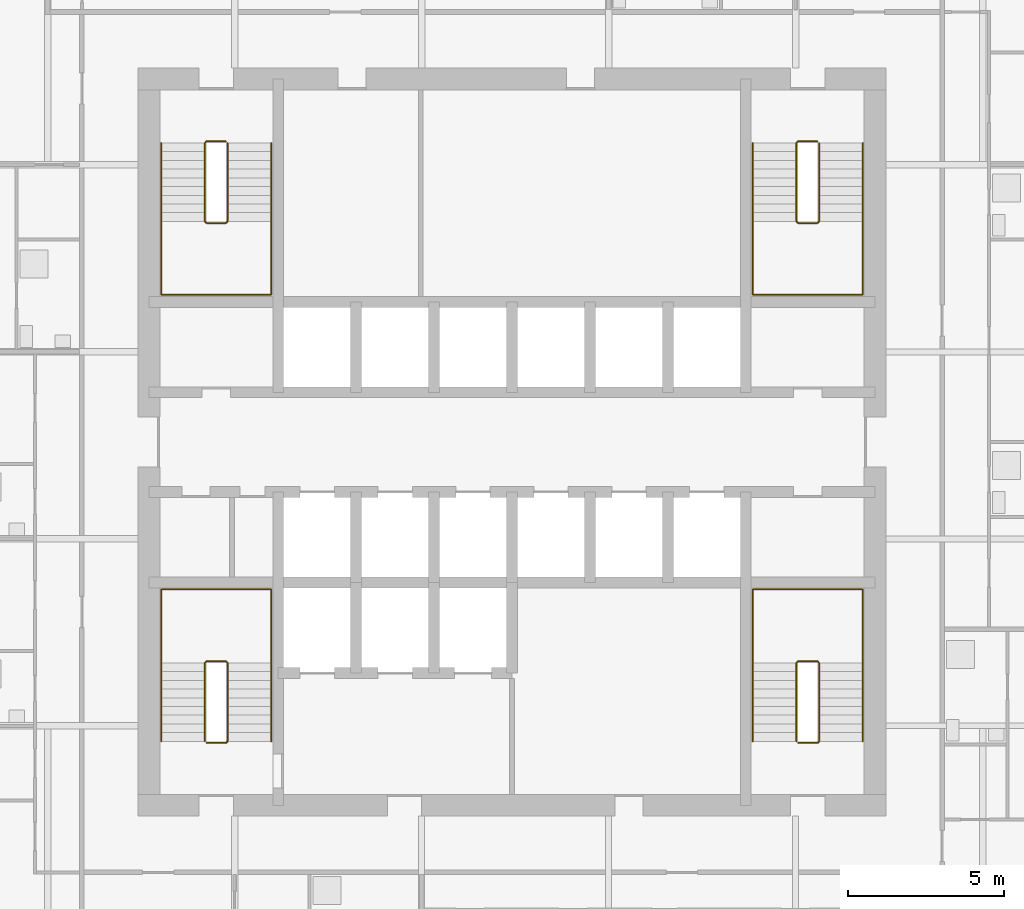
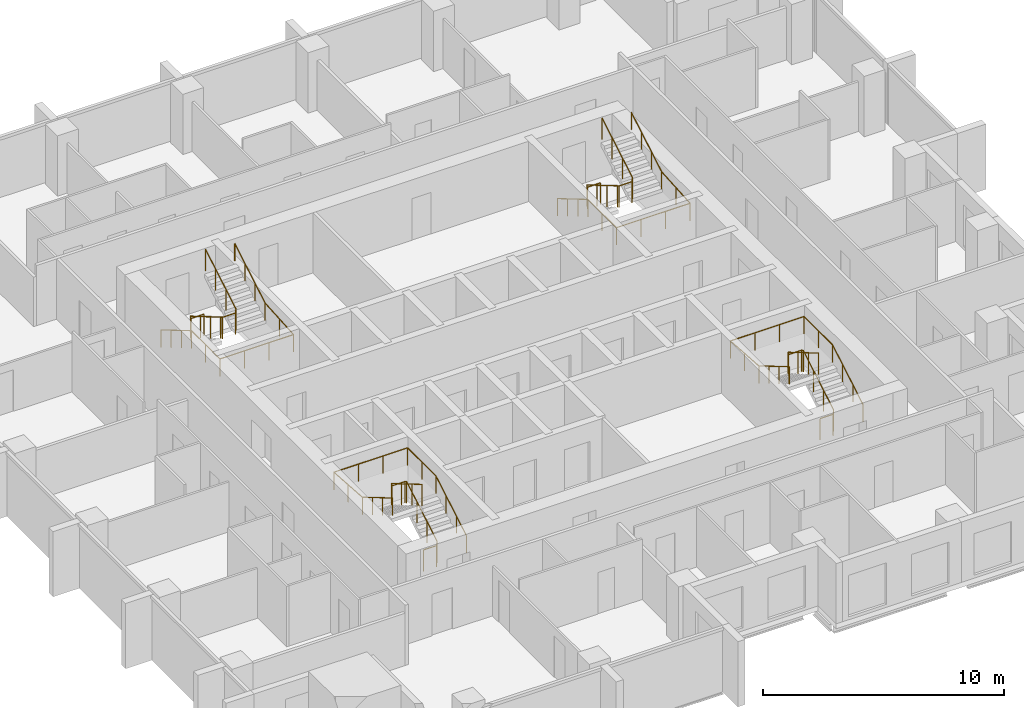
# One storey, part 9 of 10: 8 railings.
"""IFC4 building model written with IfcOpenShell, lengths in metres."""

from ifc_helpers import new_model, si_unit, direction, frame, origin, origin_2d, place, context, subcontext, project, spatial, circle, extrude, material, type_object, element, save


model = new_model("IFC4")

# Units and contexts
model_context = context("Model", 3, precision=1e-05, world=origin(), true_north=direction((0.0, 1.0)))
body_context = subcontext(model_context, "Body", "Model", "MODEL_VIEW")
ifc_project = project(units=[si_unit("LENGTHUNIT", "METRE"), si_unit("AREAUNIT", "SQUARE_METRE"), si_unit("VOLUMEUNIT", "CUBIC_METRE"), si_unit("PLANEANGLEUNIT", "RADIAN"), si_unit("MASSUNIT", "GRAM", prefix="KILO")], contexts=[model_context])

# Site, building, storey
site_placement = place(None, origin())
site = spatial("IfcSite", under=ifc_project, at=site_placement, CompositionType="ELEMENT")
building_placement = place(site_placement, origin())
building = spatial("IfcBuilding", under=site, at=building_placement, Name="Amberfall Residences", CompositionType="ELEMENT")
storey_placement = place(building_placement, frame((0.0, 0.0, 137.199951171875)))
storey = spatial("IfcBuildingStorey", under=building, at=storey_placement, Name="L36", CompositionType="ELEMENT", Elevation=137.199951171875)

# Railings
ifc_material = material(Name="Stainless steel 316", Category="steel")
railing_type_1 = type_object("IfcRailingType", Name="Stair guard 1100", PredefinedType="GUARDRAIL", material=ifc_material)
railing_1_placement = place(storey_placement, frame((64.699951171875, 35.85009765625, 0.0)))
element("IfcRailing", 1, at=railing_1_placement, inside=storey, type_object=railing_type_1, Name="L36 stair 1 guard", PredefinedType="GUARDRAIL", context=body_context, shape_type="SweptSolid", body=[
    extrude(circle(Radius=0.02392578125, at=origin_2d()), frame((0.0, 0.0, 1.076171875), z_axis=(1.0, 0.0, 0.0), x_axis=(0.0, 1.0, 0.0)), (0.0, 0.0, 1.0), 0.625),
    extrude(circle(Radius=0.02392578125, at=origin_2d()), frame((0.625, 0.0, 1.076171875), z_axis=(0.278810427259, 0.277450376394, 0.919394384522), x_axis=(-0.705375805398, 0.708833529934, 0.0)), (0.0, 0.0, 1.0), 0.179443359375),
    extrude(circle(Radius=0.02392578125, at=origin_2d()), frame((0.675048828125, 0.0498046875, 1.2412109375), z_axis=(0.0, 0.86152411907, 0.507716645641), x_axis=(-1.0, 0.0, 0.0)), (0.0, 0.0, 1.0), 2.925048828125),
    extrude(circle(Radius=0.02392578125, at=origin_2d()), frame((0.675048828125, 2.56982421875, 2.72607421875), z_axis=(-0.707106781187, 0.707106781187, 0.0), x_axis=(-0.707106781187, -0.707106781187, 0.0)), (0.0, 0.0, 1.0), 0.07080078125),
    extrude(circle(Radius=0.02392578125, at=origin_2d()), frame((0.625, 2.619873046875, 2.72607421875), z_axis=(-1.0, 0.0, 0.0), x_axis=(0.0, -1.0, 0.0)), (0.0, 0.0, 1.0), 0.625),
    extrude(circle(Radius=0.02392578125, at=origin_2d()), frame((0.0, 2.619873046875, 2.72607421875), z_axis=(-0.279053652268, -0.279053652268, 0.918835196492), x_axis=(0.707106781187, -0.707106781187, 0.0)), (0.0, 0.0, 1.0), 0.179443359375),
    extrude(circle(Radius=0.02392578125, at=origin_2d()), frame((-0.050048828125, 2.56982421875, 2.89111328125), z_axis=(0.0, -0.86152411907, 0.507716645641), x_axis=(1.0, 0.0, 0.0)), (0.0, 0.0, 1.0), 2.925048828125),
    extrude(circle(Radius=0.02099609375, at=origin_2d()), origin(), (0.0, 0.0, 1.0), 1.052001953125),
    extrude(circle(Radius=0.02099609375, at=origin_2d()), frame((0.625, 0.0, 0.0)), (0.0, 0.0, 1.0), 1.052001953125),
    extrude(circle(Radius=0.02099609375, at=origin_2d()), frame((0.675048828125, 0.0498046875, 0.1650390625)), (0.0, 0.0, 1.0), 1.052001953125),
    extrude(circle(Radius=0.02099609375, at=origin_2d()), frame((0.675048828125, 0.889892578125, 0.66015625)), (0.0, 0.0, 1.0), 1.052001953125),
    extrude(circle(Radius=0.02099609375, at=origin_2d()), frame((0.675048828125, 1.729736328125, 1.155029296875)), (0.0, 0.0, 1.0), 1.052001953125),
    extrude(circle(Radius=0.02099609375, at=origin_2d()), frame((0.675048828125, 2.56982421875, 1.650146484375)), (0.0, 0.0, 1.0), 1.052001953125),
    extrude(circle(Radius=0.02099609375, at=origin_2d()), frame((0.625, 2.619873046875, 1.650146484375)), (0.0, 0.0, 1.0), 1.052001953125),
    extrude(circle(Radius=0.02099609375, at=origin_2d()), frame((0.0, 2.619873046875, 1.650146484375)), (0.0, 0.0, 1.0), 1.052001953125),
    extrude(circle(Radius=0.02099609375, at=origin_2d()), frame((-0.050048828125, 2.56982421875, 1.81494140625)), (0.0, 0.0, 1.0), 1.052001953125),
    extrude(circle(Radius=0.02099609375, at=origin_2d()), frame((-0.050048828125, 1.729736328125, 2.31005859375)), (0.0, 0.0, 1.0), 1.052001953125),
    extrude(circle(Radius=0.02099609375, at=origin_2d()), frame((-0.050048828125, 0.889892578125, 2.804931640625)), (0.0, 0.0, 1.0), 1.052001953125),
    extrude(circle(Radius=0.02099609375, at=origin_2d()), frame((-0.050048828125, 0.0498046875, 3.300048828125)), (0.0, 0.0, 1.0), 1.052001953125),
])
railing_2_placement = place(storey_placement, frame((83.675048828125, 35.85009765625, 0.0)))
element("IfcRailing", 2, at=railing_2_placement, inside=storey, type_object=railing_type_1, Name="L36 stair 2 guard", PredefinedType="GUARDRAIL", context=body_context, shape_type="SweptSolid", body=[
    extrude(circle(Radius=0.02392578125, at=origin_2d()), frame((0.0, 0.0, 1.076171875), z_axis=(1.0, 0.0, 0.0), x_axis=(0.0, 1.0, 0.0)), (0.0, 0.0, 1.0), 0.625),
    extrude(circle(Radius=0.02392578125, at=origin_2d()), frame((0.625, 0.0, 1.076171875), z_axis=(0.278810427259, 0.277450376394, 0.919394384522), x_axis=(-0.705375805398, 0.708833529934, 0.0)), (0.0, 0.0, 1.0), 0.179443359375),
    extrude(circle(Radius=0.02392578125, at=origin_2d()), frame((0.675048828125, 0.0498046875, 1.2412109375), z_axis=(0.0, 0.86152411907, 0.507716645641), x_axis=(-1.0, 0.0, 0.0)), (0.0, 0.0, 1.0), 2.925048828125),
    extrude(circle(Radius=0.02392578125, at=origin_2d()), frame((0.675048828125, 2.56982421875, 2.72607421875), z_axis=(-0.707106781187, 0.707106781187, 0.0), x_axis=(-0.707106781187, -0.707106781187, 0.0)), (0.0, 0.0, 1.0), 0.07080078125),
    extrude(circle(Radius=0.02392578125, at=origin_2d()), frame((0.625, 2.619873046875, 2.72607421875), z_axis=(-1.0, 0.0, 0.0), x_axis=(0.0, -1.0, 0.0)), (0.0, 0.0, 1.0), 0.625),
    extrude(circle(Radius=0.02392578125, at=origin_2d()), frame((0.0, 2.619873046875, 2.72607421875), z_axis=(-0.279053652268, -0.279053652268, 0.918835196492), x_axis=(0.707106781187, -0.707106781187, 0.0)), (0.0, 0.0, 1.0), 0.179443359375),
    extrude(circle(Radius=0.02392578125, at=origin_2d()), frame((-0.050048828125, 2.56982421875, 2.89111328125), z_axis=(0.0, -0.86152411907, 0.507716645641), x_axis=(1.0, 0.0, 0.0)), (0.0, 0.0, 1.0), 2.925048828125),
    extrude(circle(Radius=0.02099609375, at=origin_2d()), origin(), (0.0, 0.0, 1.0), 1.052001953125),
    extrude(circle(Radius=0.02099609375, at=origin_2d()), frame((0.625, 0.0, 0.0)), (0.0, 0.0, 1.0), 1.052001953125),
    extrude(circle(Radius=0.02099609375, at=origin_2d()), frame((0.675048828125, 0.0498046875, 0.1650390625)), (0.0, 0.0, 1.0), 1.052001953125),
    extrude(circle(Radius=0.02099609375, at=origin_2d()), frame((0.675048828125, 0.889892578125, 0.66015625)), (0.0, 0.0, 1.0), 1.052001953125),
    extrude(circle(Radius=0.02099609375, at=origin_2d()), frame((0.675048828125, 1.729736328125, 1.155029296875)), (0.0, 0.0, 1.0), 1.052001953125),
    extrude(circle(Radius=0.02099609375, at=origin_2d()), frame((0.675048828125, 2.56982421875, 1.650146484375)), (0.0, 0.0, 1.0), 1.052001953125),
    extrude(circle(Radius=0.02099609375, at=origin_2d()), frame((0.625, 2.619873046875, 1.650146484375)), (0.0, 0.0, 1.0), 1.052001953125),
    extrude(circle(Radius=0.02099609375, at=origin_2d()), frame((0.0, 2.619873046875, 1.650146484375)), (0.0, 0.0, 1.0), 1.052001953125),
    extrude(circle(Radius=0.02099609375, at=origin_2d()), frame((-0.050048828125, 2.56982421875, 1.81494140625)), (0.0, 0.0, 1.0), 1.052001953125),
    extrude(circle(Radius=0.02099609375, at=origin_2d()), frame((-0.050048828125, 1.729736328125, 2.31005859375)), (0.0, 0.0, 1.0), 1.052001953125),
    extrude(circle(Radius=0.02099609375, at=origin_2d()), frame((-0.050048828125, 0.889892578125, 2.804931640625)), (0.0, 0.0, 1.0), 1.052001953125),
    extrude(circle(Radius=0.02099609375, at=origin_2d()), frame((-0.050048828125, 0.0498046875, 3.300048828125)), (0.0, 0.0, 1.0), 1.052001953125),
])
railing_3_placement = place(storey_placement, frame((84.300048828125, 55.14990234375, 0.0)))
element("IfcRailing", 3, at=railing_3_placement, inside=storey, type_object=railing_type_1, Name="L36 stair 3 guard", PredefinedType="GUARDRAIL", context=body_context, shape_type="SweptSolid", body=[
    extrude(circle(Radius=0.02392578125, at=origin_2d()), frame((0.0, 0.0, 1.076171875), z_axis=(-1.0, 0.0, 0.0), x_axis=(0.0, -1.0, 0.0)), (0.0, 0.0, 1.0), 0.625),
    extrude(circle(Radius=0.02392578125, at=origin_2d()), frame((-0.625, 0.0, 1.076171875), z_axis=(-0.278810427259, -0.277450376394, 0.919394384522), x_axis=(0.705375805398, -0.708833529934, 0.0)), (0.0, 0.0, 1.0), 0.179443359375),
    extrude(circle(Radius=0.02392578125, at=origin_2d()), frame((-0.675048828125, -0.0498046875, 1.2412109375), z_axis=(0.0, -0.86152411907, 0.507716645641), x_axis=(1.0, 0.0, 0.0)), (0.0, 0.0, 1.0), 2.925048828125),
    extrude(circle(Radius=0.02392578125, at=origin_2d()), frame((-0.675048828125, -2.56982421875, 2.72607421875), z_axis=(0.707106781187, -0.707106781187, 0.0), x_axis=(0.707106781187, 0.707106781187, 0.0)), (0.0, 0.0, 1.0), 0.07080078125),
    extrude(circle(Radius=0.02392578125, at=origin_2d()), frame((-0.625, -2.619873046875, 2.72607421875), z_axis=(1.0, 0.0, 0.0), x_axis=(0.0, 1.0, 0.0)), (0.0, 0.0, 1.0), 0.625),
    extrude(circle(Radius=0.02392578125, at=origin_2d()), frame((0.0, -2.619873046875, 2.72607421875), z_axis=(0.279053652268, 0.279053652268, 0.918835196492), x_axis=(-0.707106781187, 0.707106781187, 0.0)), (0.0, 0.0, 1.0), 0.179443359375),
    extrude(circle(Radius=0.02392578125, at=origin_2d()), frame((0.050048828125, -2.56982421875, 2.89111328125), z_axis=(0.0, 0.86152411907, 0.507716645641), x_axis=(-1.0, 0.0, 0.0)), (0.0, 0.0, 1.0), 2.925048828125),
    extrude(circle(Radius=0.02099609375, at=origin_2d()), origin(), (0.0, 0.0, 1.0), 1.052001953125),
    extrude(circle(Radius=0.02099609375, at=origin_2d()), frame((-0.625, 0.0, 0.0)), (0.0, 0.0, 1.0), 1.052001953125),
    extrude(circle(Radius=0.02099609375, at=origin_2d()), frame((-0.675048828125, -0.0498046875, 0.1650390625)), (0.0, 0.0, 1.0), 1.052001953125),
    extrude(circle(Radius=0.02099609375, at=origin_2d()), frame((-0.675048828125, -0.889892578125, 0.66015625)), (0.0, 0.0, 1.0), 1.052001953125),
    extrude(circle(Radius=0.02099609375, at=origin_2d()), frame((-0.675048828125, -1.729736328125, 1.155029296875)), (0.0, 0.0, 1.0), 1.052001953125),
    extrude(circle(Radius=0.02099609375, at=origin_2d()), frame((-0.675048828125, -2.56982421875, 1.650146484375)), (0.0, 0.0, 1.0), 1.052001953125),
    extrude(circle(Radius=0.02099609375, at=origin_2d()), frame((-0.625, -2.619873046875, 1.650146484375)), (0.0, 0.0, 1.0), 1.052001953125),
    extrude(circle(Radius=0.02099609375, at=origin_2d()), frame((0.0, -2.619873046875, 1.650146484375)), (0.0, 0.0, 1.0), 1.052001953125),
    extrude(circle(Radius=0.02099609375, at=origin_2d()), frame((0.050048828125, -2.56982421875, 1.81494140625)), (0.0, 0.0, 1.0), 1.052001953125),
    extrude(circle(Radius=0.02099609375, at=origin_2d()), frame((0.050048828125, -1.729736328125, 2.31005859375)), (0.0, 0.0, 1.0), 1.052001953125),
    extrude(circle(Radius=0.02099609375, at=origin_2d()), frame((0.050048828125, -0.889892578125, 2.804931640625)), (0.0, 0.0, 1.0), 1.052001953125),
    extrude(circle(Radius=0.02099609375, at=origin_2d()), frame((0.050048828125, -0.0498046875, 3.300048828125)), (0.0, 0.0, 1.0), 1.052001953125),
])
railing_4_placement = place(storey_placement, frame((65.324951171875, 55.14990234375, 0.0)))
element("IfcRailing", 4, at=railing_4_placement, inside=storey, type_object=railing_type_1, Name="L36 stair 4 guard", PredefinedType="GUARDRAIL", context=body_context, shape_type="SweptSolid", body=[
    extrude(circle(Radius=0.02392578125, at=origin_2d()), frame((0.0, 0.0, 1.076171875), z_axis=(-1.0, 0.0, 0.0), x_axis=(0.0, -1.0, 0.0)), (0.0, 0.0, 1.0), 0.625),
    extrude(circle(Radius=0.02392578125, at=origin_2d()), frame((-0.625, 0.0, 1.076171875), z_axis=(-0.278810427259, -0.277450376394, 0.919394384522), x_axis=(0.705375805398, -0.708833529934, 0.0)), (0.0, 0.0, 1.0), 0.179443359375),
    extrude(circle(Radius=0.02392578125, at=origin_2d()), frame((-0.675048828125, -0.0498046875, 1.2412109375), z_axis=(0.0, -0.86152411907, 0.507716645641), x_axis=(1.0, 0.0, 0.0)), (0.0, 0.0, 1.0), 2.925048828125),
    extrude(circle(Radius=0.02392578125, at=origin_2d()), frame((-0.675048828125, -2.56982421875, 2.72607421875), z_axis=(0.707106781187, -0.707106781187, 0.0), x_axis=(0.707106781187, 0.707106781187, 0.0)), (0.0, 0.0, 1.0), 0.07080078125),
    extrude(circle(Radius=0.02392578125, at=origin_2d()), frame((-0.625, -2.619873046875, 2.72607421875), z_axis=(1.0, 0.0, 0.0), x_axis=(0.0, 1.0, 0.0)), (0.0, 0.0, 1.0), 0.625),
    extrude(circle(Radius=0.02392578125, at=origin_2d()), frame((0.0, -2.619873046875, 2.72607421875), z_axis=(0.279053652268, 0.279053652268, 0.918835196492), x_axis=(-0.707106781187, 0.707106781187, 0.0)), (0.0, 0.0, 1.0), 0.179443359375),
    extrude(circle(Radius=0.02392578125, at=origin_2d()), frame((0.050048828125, -2.56982421875, 2.89111328125), z_axis=(0.0, 0.86152411907, 0.507716645641), x_axis=(-1.0, 0.0, 0.0)), (0.0, 0.0, 1.0), 2.925048828125),
    extrude(circle(Radius=0.02099609375, at=origin_2d()), origin(), (0.0, 0.0, 1.0), 1.052001953125),
    extrude(circle(Radius=0.02099609375, at=origin_2d()), frame((-0.625, 0.0, 0.0)), (0.0, 0.0, 1.0), 1.052001953125),
    extrude(circle(Radius=0.02099609375, at=origin_2d()), frame((-0.675048828125, -0.0498046875, 0.1650390625)), (0.0, 0.0, 1.0), 1.052001953125),
    extrude(circle(Radius=0.02099609375, at=origin_2d()), frame((-0.675048828125, -0.889892578125, 0.66015625)), (0.0, 0.0, 1.0), 1.052001953125),
    extrude(circle(Radius=0.02099609375, at=origin_2d()), frame((-0.675048828125, -1.729736328125, 1.155029296875)), (0.0, 0.0, 1.0), 1.052001953125),
    extrude(circle(Radius=0.02099609375, at=origin_2d()), frame((-0.675048828125, -2.56982421875, 1.650146484375)), (0.0, 0.0, 1.0), 1.052001953125),
    extrude(circle(Radius=0.02099609375, at=origin_2d()), frame((-0.625, -2.619873046875, 1.650146484375)), (0.0, 0.0, 1.0), 1.052001953125),
    extrude(circle(Radius=0.02099609375, at=origin_2d()), frame((0.0, -2.619873046875, 1.650146484375)), (0.0, 0.0, 1.0), 1.052001953125),
    extrude(circle(Radius=0.02099609375, at=origin_2d()), frame((0.050048828125, -2.56982421875, 1.81494140625)), (0.0, 0.0, 1.0), 1.052001953125),
    extrude(circle(Radius=0.02099609375, at=origin_2d()), frame((0.050048828125, -1.729736328125, 2.31005859375)), (0.0, 0.0, 1.0), 1.052001953125),
    extrude(circle(Radius=0.02099609375, at=origin_2d()), frame((0.050048828125, -0.889892578125, 2.804931640625)), (0.0, 0.0, 1.0), 1.052001953125),
    extrude(circle(Radius=0.02099609375, at=origin_2d()), frame((0.050048828125, -0.0498046875, 3.300048828125)), (0.0, 0.0, 1.0), 1.052001953125),
])
railing_type_2 = type_object("IfcRailingType", Name="Stair handrail 900", PredefinedType="HANDRAIL", material=ifc_material)
railing_5_placement = place(storey_placement, frame((66.77490234375, 35.89990234375, 0.1650390625)))
element("IfcRailing", 5, at=railing_5_placement, inside=storey, type_object=railing_type_2, Name="L36 stair 1 handrail", PredefinedType="HANDRAIL", context=body_context, shape_type="SweptSolid", body=[
    extrude(circle(Radius=0.02392578125, at=origin_2d()), frame((0.0, 0.0, 0.8759765625), z_axis=(0.0, 0.86152411907, 0.507716645641), x_axis=(-1.0, 0.0, 0.0)), (0.0, 0.0, 1.0), 2.925048828125),
    extrude(circle(Radius=0.02392578125, at=origin_2d()), frame((0.0, 2.52001953125, 2.36083984375), z_axis=(0.0, 1.0, 0.0), x_axis=(-1.0, 0.0, 0.0)), (0.0, 0.0, 1.0), 2.35498046875),
    extrude(circle(Radius=0.02392578125, at=origin_2d()), frame((0.0, 4.875, 2.36083984375), z_axis=(-1.0, 0.0, 0.0), x_axis=(0.0, -1.0, 0.0)), (0.0, 0.0, 1.0), 3.52490234375),
    extrude(circle(Radius=0.02392578125, at=origin_2d()), frame((-3.52490234375, 4.875, 2.36083984375), z_axis=(0.0, -0.997560551741, 0.069806486878), x_axis=(1.0, 0.0, 0.0)), (0.0, 0.0, 1.0), 2.36083984375),
    extrude(circle(Radius=0.02392578125, at=origin_2d()), frame((-3.52490234375, 2.52001953125, 2.52587890625), z_axis=(0.0, -0.86152411907, 0.507716645641), x_axis=(1.0, 0.0, 0.0)), (0.0, 0.0, 1.0), 2.925048828125),
    extrude(circle(Radius=0.02099609375, at=origin_2d()), origin(), (0.0, 0.0, 1.0), 0.851806640625),
    extrude(circle(Radius=0.02099609375, at=origin_2d()), frame((0.0, 0.840087890625, 0.4951171875)), (0.0, 0.0, 1.0), 0.851806640625),
    extrude(circle(Radius=0.02099609375, at=origin_2d()), frame((0.0, 1.679931640625, 0.989990234375)), (0.0, 0.0, 1.0), 0.851806640625),
    extrude(circle(Radius=0.02099609375, at=origin_2d()), frame((0.0, 2.52001953125, 1.485107421875)), (0.0, 0.0, 1.0), 0.851806640625),
    extrude(circle(Radius=0.02099609375, at=origin_2d()), frame((0.0, 3.697509765625, 1.485107421875)), (0.0, 0.0, 1.0), 0.851806640625),
    extrude(circle(Radius=0.02099609375, at=origin_2d()), frame((0.0, 4.875, 1.485107421875)), (0.0, 0.0, 1.0), 0.851806640625),
    extrude(circle(Radius=0.02099609375, at=origin_2d()), frame((-1.175048828125, 4.875, 1.485107421875)), (0.0, 0.0, 1.0), 0.851806640625),
    extrude(circle(Radius=0.02099609375, at=origin_2d()), frame((-2.349853515625, 4.875, 1.485107421875)), (0.0, 0.0, 1.0), 0.851806640625),
    extrude(circle(Radius=0.02099609375, at=origin_2d()), frame((-3.52490234375, 4.875, 1.485107421875)), (0.0, 0.0, 1.0), 0.851806640625),
    extrude(circle(Radius=0.02099609375, at=origin_2d()), frame((-3.52490234375, 3.697509765625, 1.5673828125)), (0.0, 0.0, 1.0), 0.851806640625),
    extrude(circle(Radius=0.02099609375, at=origin_2d()), frame((-3.52490234375, 2.52001953125, 1.64990234375)), (0.0, 0.0, 1.0), 0.851806640625),
    extrude(circle(Radius=0.02099609375, at=origin_2d()), frame((-3.52490234375, 1.679931640625, 2.14501953125)), (0.0, 0.0, 1.0), 0.851806640625),
    extrude(circle(Radius=0.02099609375, at=origin_2d()), frame((-3.52490234375, 0.840087890625, 2.639892578125)), (0.0, 0.0, 1.0), 0.851806640625),
    extrude(circle(Radius=0.02099609375, at=origin_2d()), frame((-3.52490234375, 0.0, 3.135009765625)), (0.0, 0.0, 1.0), 0.851806640625),
])
railing_6_placement = place(storey_placement, frame((85.75, 35.89990234375, 0.1650390625)))
element("IfcRailing", 6, at=railing_6_placement, inside=storey, type_object=railing_type_2, Name="L36 stair 2 handrail", PredefinedType="HANDRAIL", context=body_context, shape_type="SweptSolid", body=[
    extrude(circle(Radius=0.02392578125, at=origin_2d()), frame((0.0, 0.0, 0.8759765625), z_axis=(0.0, 0.86152411907, 0.507716645641), x_axis=(-1.0, 0.0, 0.0)), (0.0, 0.0, 1.0), 2.925048828125),
    extrude(circle(Radius=0.02392578125, at=origin_2d()), frame((0.0, 2.52001953125, 2.36083984375), z_axis=(0.0, 1.0, 0.0), x_axis=(-1.0, 0.0, 0.0)), (0.0, 0.0, 1.0), 2.35498046875),
    extrude(circle(Radius=0.02392578125, at=origin_2d()), frame((0.0, 4.875, 2.36083984375), z_axis=(-1.0, 0.0, 0.0), x_axis=(0.0, -1.0, 0.0)), (0.0, 0.0, 1.0), 3.52490234375),
    extrude(circle(Radius=0.02392578125, at=origin_2d()), frame((-3.52490234375, 4.875, 2.36083984375), z_axis=(0.0, -0.997560551741, 0.069806486878), x_axis=(1.0, 0.0, 0.0)), (0.0, 0.0, 1.0), 2.36083984375),
    extrude(circle(Radius=0.02392578125, at=origin_2d()), frame((-3.52490234375, 2.52001953125, 2.52587890625), z_axis=(0.0, -0.86152411907, 0.507716645641), x_axis=(1.0, 0.0, 0.0)), (0.0, 0.0, 1.0), 2.925048828125),
    extrude(circle(Radius=0.02099609375, at=origin_2d()), origin(), (0.0, 0.0, 1.0), 0.851806640625),
    extrude(circle(Radius=0.02099609375, at=origin_2d()), frame((0.0, 0.840087890625, 0.4951171875)), (0.0, 0.0, 1.0), 0.851806640625),
    extrude(circle(Radius=0.02099609375, at=origin_2d()), frame((0.0, 1.679931640625, 0.989990234375)), (0.0, 0.0, 1.0), 0.851806640625),
    extrude(circle(Radius=0.02099609375, at=origin_2d()), frame((0.0, 2.52001953125, 1.485107421875)), (0.0, 0.0, 1.0), 0.851806640625),
    extrude(circle(Radius=0.02099609375, at=origin_2d()), frame((0.0, 3.697509765625, 1.485107421875)), (0.0, 0.0, 1.0), 0.851806640625),
    extrude(circle(Radius=0.02099609375, at=origin_2d()), frame((0.0, 4.875, 1.485107421875)), (0.0, 0.0, 1.0), 0.851806640625),
    extrude(circle(Radius=0.02099609375, at=origin_2d()), frame((-1.175048828125, 4.875, 1.485107421875)), (0.0, 0.0, 1.0), 0.851806640625),
    extrude(circle(Radius=0.02099609375, at=origin_2d()), frame((-2.349853515625, 4.875, 1.485107421875)), (0.0, 0.0, 1.0), 0.851806640625),
    extrude(circle(Radius=0.02099609375, at=origin_2d()), frame((-3.52490234375, 4.875, 1.485107421875)), (0.0, 0.0, 1.0), 0.851806640625),
    extrude(circle(Radius=0.02099609375, at=origin_2d()), frame((-3.52490234375, 3.697509765625, 1.5673828125)), (0.0, 0.0, 1.0), 0.851806640625),
    extrude(circle(Radius=0.02099609375, at=origin_2d()), frame((-3.52490234375, 2.52001953125, 1.64990234375)), (0.0, 0.0, 1.0), 0.851806640625),
    extrude(circle(Radius=0.02099609375, at=origin_2d()), frame((-3.52490234375, 1.679931640625, 2.14501953125)), (0.0, 0.0, 1.0), 0.851806640625),
    extrude(circle(Radius=0.02099609375, at=origin_2d()), frame((-3.52490234375, 0.840087890625, 2.639892578125)), (0.0, 0.0, 1.0), 0.851806640625),
    extrude(circle(Radius=0.02099609375, at=origin_2d()), frame((-3.52490234375, 0.0, 3.135009765625)), (0.0, 0.0, 1.0), 0.851806640625),
])
railing_7_placement = place(storey_placement, frame((82.22509765625, 55.10009765625, 0.1650390625)))
element("IfcRailing", 7, at=railing_7_placement, inside=storey, type_object=railing_type_2, Name="L36 stair 3 handrail", PredefinedType="HANDRAIL", context=body_context, shape_type="SweptSolid", body=[
    extrude(circle(Radius=0.02392578125, at=origin_2d()), frame((0.0, 0.0, 0.8759765625), z_axis=(0.0, -0.86152411907, 0.507716645641), x_axis=(1.0, 0.0, 0.0)), (0.0, 0.0, 1.0), 2.925048828125),
    extrude(circle(Radius=0.02392578125, at=origin_2d()), frame((0.0, -2.52001953125, 2.36083984375), z_axis=(0.0, -1.0, 0.0), x_axis=(1.0, 0.0, 0.0)), (0.0, 0.0, 1.0), 2.35498046875),
    extrude(circle(Radius=0.02392578125, at=origin_2d()), frame((0.0, -4.875, 2.36083984375), z_axis=(1.0, 0.0, 0.0), x_axis=(0.0, 1.0, 0.0)), (0.0, 0.0, 1.0), 3.52490234375),
    extrude(circle(Radius=0.02392578125, at=origin_2d()), frame((3.52490234375, -4.875, 2.36083984375), z_axis=(0.0, 0.997560551741, 0.069806486878), x_axis=(-1.0, 0.0, 0.0)), (0.0, 0.0, 1.0), 2.36083984375),
    extrude(circle(Radius=0.02392578125, at=origin_2d()), frame((3.52490234375, -2.52001953125, 2.52587890625), z_axis=(0.0, 0.86152411907, 0.507716645641), x_axis=(-1.0, 0.0, 0.0)), (0.0, 0.0, 1.0), 2.925048828125),
    extrude(circle(Radius=0.02099609375, at=origin_2d()), origin(), (0.0, 0.0, 1.0), 0.851806640625),
    extrude(circle(Radius=0.02099609375, at=origin_2d()), frame((0.0, -0.840087890625, 0.4951171875)), (0.0, 0.0, 1.0), 0.851806640625),
    extrude(circle(Radius=0.02099609375, at=origin_2d()), frame((0.0, -1.679931640625, 0.989990234375)), (0.0, 0.0, 1.0), 0.851806640625),
    extrude(circle(Radius=0.02099609375, at=origin_2d()), frame((0.0, -2.52001953125, 1.485107421875)), (0.0, 0.0, 1.0), 0.851806640625),
    extrude(circle(Radius=0.02099609375, at=origin_2d()), frame((0.0, -3.697509765625, 1.485107421875)), (0.0, 0.0, 1.0), 0.851806640625),
    extrude(circle(Radius=0.02099609375, at=origin_2d()), frame((0.0, -4.875, 1.485107421875)), (0.0, 0.0, 1.0), 0.851806640625),
    extrude(circle(Radius=0.02099609375, at=origin_2d()), frame((1.175048828125, -4.875, 1.485107421875)), (0.0, 0.0, 1.0), 0.851806640625),
    extrude(circle(Radius=0.02099609375, at=origin_2d()), frame((2.349853515625, -4.875, 1.485107421875)), (0.0, 0.0, 1.0), 0.851806640625),
    extrude(circle(Radius=0.02099609375, at=origin_2d()), frame((3.52490234375, -4.875, 1.485107421875)), (0.0, 0.0, 1.0), 0.851806640625),
    extrude(circle(Radius=0.02099609375, at=origin_2d()), frame((3.52490234375, -3.697509765625, 1.5673828125)), (0.0, 0.0, 1.0), 0.851806640625),
    extrude(circle(Radius=0.02099609375, at=origin_2d()), frame((3.52490234375, -2.52001953125, 1.64990234375)), (0.0, 0.0, 1.0), 0.851806640625),
    extrude(circle(Radius=0.02099609375, at=origin_2d()), frame((3.52490234375, -1.679931640625, 2.14501953125)), (0.0, 0.0, 1.0), 0.851806640625),
    extrude(circle(Radius=0.02099609375, at=origin_2d()), frame((3.52490234375, -0.840087890625, 2.639892578125)), (0.0, 0.0, 1.0), 0.851806640625),
    extrude(circle(Radius=0.02099609375, at=origin_2d()), frame((3.52490234375, 0.0, 3.135009765625)), (0.0, 0.0, 1.0), 0.851806640625),
])
railing_8_placement = place(storey_placement, frame((63.25, 55.10009765625, 0.1650390625)))
element("IfcRailing", 8, at=railing_8_placement, inside=storey, type_object=railing_type_2, Name="L36 stair 4 handrail", PredefinedType="HANDRAIL", context=body_context, shape_type="SweptSolid", body=[
    extrude(circle(Radius=0.02392578125, at=origin_2d()), frame((0.0, 0.0, 0.8759765625), z_axis=(0.0, -0.86152411907, 0.507716645641), x_axis=(1.0, 0.0, 0.0)), (0.0, 0.0, 1.0), 2.925048828125),
    extrude(circle(Radius=0.02392578125, at=origin_2d()), frame((0.0, -2.52001953125, 2.36083984375), z_axis=(0.0, -1.0, 0.0), x_axis=(1.0, 0.0, 0.0)), (0.0, 0.0, 1.0), 2.35498046875),
    extrude(circle(Radius=0.02392578125, at=origin_2d()), frame((0.0, -4.875, 2.36083984375), z_axis=(1.0, 0.0, 0.0), x_axis=(0.0, 1.0, 0.0)), (0.0, 0.0, 1.0), 3.52490234375),
    extrude(circle(Radius=0.02392578125, at=origin_2d()), frame((3.52490234375, -4.875, 2.36083984375), z_axis=(0.0, 0.997560551741, 0.069806486878), x_axis=(-1.0, 0.0, 0.0)), (0.0, 0.0, 1.0), 2.36083984375),
    extrude(circle(Radius=0.02392578125, at=origin_2d()), frame((3.52490234375, -2.52001953125, 2.52587890625), z_axis=(0.0, 0.86152411907, 0.507716645641), x_axis=(-1.0, 0.0, 0.0)), (0.0, 0.0, 1.0), 2.925048828125),
    extrude(circle(Radius=0.02099609375, at=origin_2d()), origin(), (0.0, 0.0, 1.0), 0.851806640625),
    extrude(circle(Radius=0.02099609375, at=origin_2d()), frame((0.0, -0.840087890625, 0.4951171875)), (0.0, 0.0, 1.0), 0.851806640625),
    extrude(circle(Radius=0.02099609375, at=origin_2d()), frame((0.0, -1.679931640625, 0.989990234375)), (0.0, 0.0, 1.0), 0.851806640625),
    extrude(circle(Radius=0.02099609375, at=origin_2d()), frame((0.0, -2.52001953125, 1.485107421875)), (0.0, 0.0, 1.0), 0.851806640625),
    extrude(circle(Radius=0.02099609375, at=origin_2d()), frame((0.0, -3.697509765625, 1.485107421875)), (0.0, 0.0, 1.0), 0.851806640625),
    extrude(circle(Radius=0.02099609375, at=origin_2d()), frame((0.0, -4.875, 1.485107421875)), (0.0, 0.0, 1.0), 0.851806640625),
    extrude(circle(Radius=0.02099609375, at=origin_2d()), frame((1.175048828125, -4.875, 1.485107421875)), (0.0, 0.0, 1.0), 0.851806640625),
    extrude(circle(Radius=0.02099609375, at=origin_2d()), frame((2.349853515625, -4.875, 1.485107421875)), (0.0, 0.0, 1.0), 0.851806640625),
    extrude(circle(Radius=0.02099609375, at=origin_2d()), frame((3.52490234375, -4.875, 1.485107421875)), (0.0, 0.0, 1.0), 0.851806640625),
    extrude(circle(Radius=0.02099609375, at=origin_2d()), frame((3.52490234375, -3.697509765625, 1.5673828125)), (0.0, 0.0, 1.0), 0.851806640625),
    extrude(circle(Radius=0.02099609375, at=origin_2d()), frame((3.52490234375, -2.52001953125, 1.64990234375)), (0.0, 0.0, 1.0), 0.851806640625),
    extrude(circle(Radius=0.02099609375, at=origin_2d()), frame((3.52490234375, -1.679931640625, 2.14501953125)), (0.0, 0.0, 1.0), 0.851806640625),
    extrude(circle(Radius=0.02099609375, at=origin_2d()), frame((3.52490234375, -0.840087890625, 2.639892578125)), (0.0, 0.0, 1.0), 0.851806640625),
    extrude(circle(Radius=0.02099609375, at=origin_2d()), frame((3.52490234375, 0.0, 3.135009765625)), (0.0, 0.0, 1.0), 0.851806640625),
])

save(model, "model.ifc")
